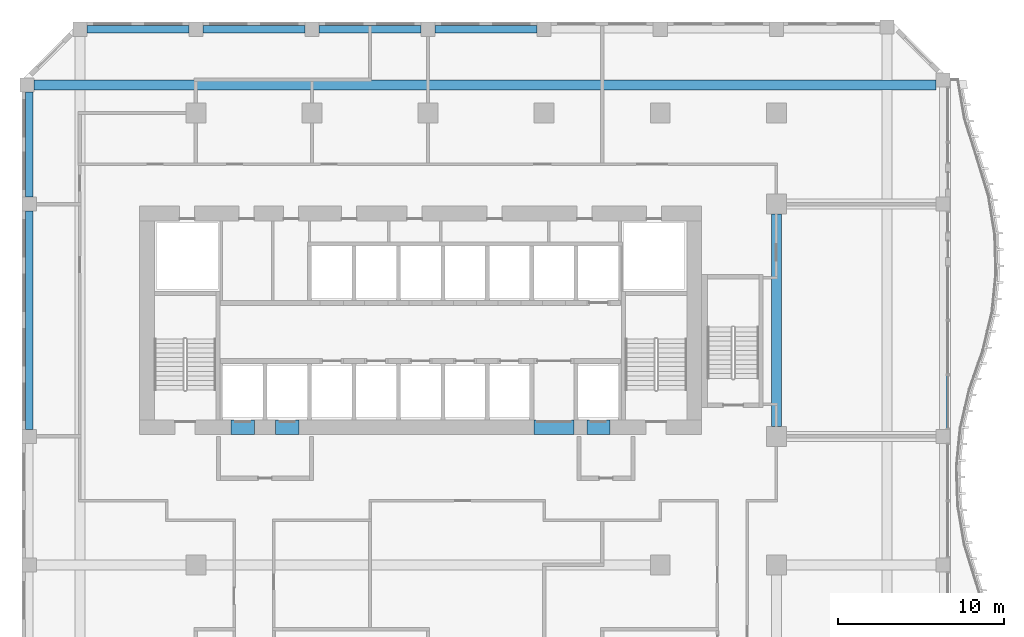
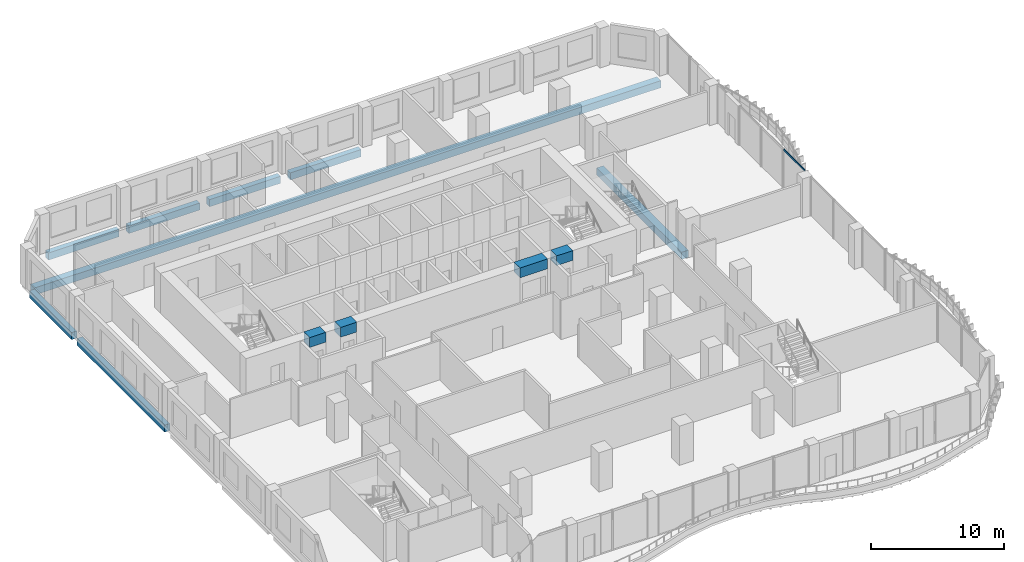
# One storey, part 7 of 19: 12 beams, 1 member, 1 element without a shape of its own.
"""IFC4 building model written with IfcOpenShell, lengths in metres."""

from ifc_helpers import new_model, si_unit, direction, frame, origin, origin_2d, place, context, subcontext, project, spatial, rectangle, extrude, source, transform, mapped, material, material_profile, profile_set, type_object, element, aggregate, save


model = new_model("IFC4")

# Units and contexts
model_context = context("Model", 3, precision=1e-05, world=origin(), true_north=direction((0.0, 1.0)))
body_context = subcontext(model_context, "Body", "Model", "MODEL_VIEW")
ifc_project = project(units=[si_unit("LENGTHUNIT", "METRE"), si_unit("AREAUNIT", "SQUARE_METRE"), si_unit("VOLUMEUNIT", "CUBIC_METRE"), si_unit("PLANEANGLEUNIT", "RADIAN"), si_unit("MASSUNIT", "GRAM", prefix="KILO")], contexts=[model_context])

# Site, building, storey
site_placement = place(None, origin())
site = spatial("IfcSite", under=ifc_project, at=site_placement, CompositionType="ELEMENT")
building_placement = place(site_placement, origin())
building = spatial("IfcBuilding", under=site, at=building_placement, Name="Kilnfold Tower and Market Hall", CompositionType="ELEMENT")
storey_placement = place(building_placement, frame((0.0, 0.0, 124.60009765625)))
storey = spatial("IfcBuildingStorey", under=building, at=storey_placement, Name="L29", CompositionType="ELEMENT", Elevation=124.60009765625)

# Beams
ifc_material_1 = material(Name="Concrete C45", Category="concrete")
ifc_material_profile_1 = material_profile(ifc_material_1, rectangle(XDim=0.449951171875, YDim=0.64990234375, at=origin_2d()), Name="RC 450x650")
ifc_profile_set_1 = profile_set([ifc_material_profile_1], Name="Concrete C45")
beam_type_1 = type_object("IfcBeamType", Name="EDGE BEAM 450X650 C45", PredefinedType="BEAM", material=ifc_profile_set_1)
shared_shape_1 = source(origin(), body_context, "Body", "SweptSolid", [
    extrude(rectangle(XDim=0.449951171875, YDim=0.64990234375, at=origin_2d()), origin(), (0.0, 0.0, 1.0), 6.14990234375),
])
for number, where, z_axis, x_axis, name in (
    (1, (-19.074951171875, 32.550048828125, -0.60498046875), (1.0, 0.0, 0.0), (0.0, 1.0, 0.0), "Beam EB650-B3.67"),
    (2, (-12.074951171875, 32.550048828125, -0.60498046875), (1.0, 0.0, 0.0), (0.0, 1.0, 0.0), "Beam EB650-B3.68"),
    (3, (-5.074951171875, 32.550048828125, -0.60498046875), (1.0, 0.0, 0.0), (0.0, 1.0, 0.0), "Beam EB650-B3.69"),
    (4, (1.925048828125, 32.550048828125, -0.60498046875), (1.0, 0.0, 0.0), (0.0, 1.0, 0.0), "Beam EB650-B3.70"),
):
    element("IfcBeam", number, at=place(storey_placement, frame(where, z_axis=z_axis, x_axis=x_axis)), inside=storey, type_object=beam_type_1, Name=name, PredefinedType="BEAM", context=body_context, shape_type="MappedRepresentation", body=[
        mapped(shared_shape_1, transform((0.0, 0.0, 0.0))),
    ])
ifc_material_2 = material(Name="Concrete C45", Category="concrete")
ifc_material_profile_2 = material_profile(ifc_material_2, rectangle(XDim=0.60009765625, YDim=0.64990234375, at=origin_2d()), Name="RC 600x650")
ifc_profile_set_2 = profile_set([ifc_material_profile_2], Name="Concrete C45")
beam_type_2 = type_object("IfcBeamType", Name="BEAM 600X650 C45", PredefinedType="BEAM", material=ifc_profile_set_2)
shared_shape_2 = source(origin(), body_context, "Body", "SweptSolid", [
    extrude(rectangle(XDim=0.60009765625, YDim=0.64990234375, at=origin_2d()), origin(), (0.0, 0.0, 1.0), 54.3818359375),
])
beam_1_placement = place(storey_placement, frame((-22.2568359375, 29.179931640625, -0.60498046875), z_axis=(1.0, 0.0, 0.0), x_axis=(0.0, 1.0, 0.0)))
element("IfcBeam", 5, at=beam_1_placement, inside=storey, type_object=beam_type_2, Name="Beam BB650-B3.66", PredefinedType="BEAM", context=body_context, shape_type="MappedRepresentation", body=[
    mapped(shared_shape_2, transform((0.0, 0.0, 0.0))),
])
shared_shape_3 = source(origin(), body_context, "Body", "SweptSolid", [
    extrude(rectangle(XDim=0.449951171875, YDim=0.64990234375, at=origin_2d()), origin(), (0.0, 0.0, 1.0), 13.14990234375),
])
beam_2_placement = place(storey_placement, frame((-22.550048828125, 8.425048828125, -0.60498046875), z_axis=(0.0, 1.0, 0.0), x_axis=(-1.0, 0.0, 0.0)))
element("IfcBeam", 6, at=beam_2_placement, inside=storey, type_object=beam_type_1, Name="Beam EB650-B3.77", PredefinedType="BEAM", context=body_context, shape_type="MappedRepresentation", body=[
    mapped(shared_shape_3, transform((0.0, 0.0, 0.0))),
])
shared_shape_4 = source(origin(), body_context, "Body", "SweptSolid", [
    extrude(rectangle(XDim=0.449951171875, YDim=0.64990234375, at=origin_2d()), origin(), (0.0, 0.0, 1.0), 6.331787109375),
])
beam_3_placement = place(storey_placement, frame((-22.550048828125, 22.425048828125, -0.60498046875), z_axis=(0.0, 1.0, 0.0), x_axis=(-1.0, 0.0, 0.0)))
element("IfcBeam", 7, at=beam_3_placement, inside=storey, type_object=beam_type_1, Name="Beam EB650-B3.78", PredefinedType="BEAM", context=body_context, shape_type="MappedRepresentation", body=[
    mapped(shared_shape_4, transform((0.0, 0.0, 0.0))),
])
shared_shape_5 = source(origin(), body_context, "Body", "SweptSolid", [
    extrude(rectangle(XDim=0.60009765625, YDim=0.64990234375, at=origin_2d()), origin(), (0.0, 0.0, 1.0), 12.7998046875),
])
beam_4_placement = place(storey_placement, frame((22.5, 8.60009765625, -0.60498046875), z_axis=(0.0, 1.0, 0.0), x_axis=(-1.0, 0.0, 0.0)))
element("IfcBeam", 8, at=beam_4_placement, inside=storey, type_object=beam_type_2, Name="Beam BB650-B3.81", PredefinedType="BEAM", context=body_context, shape_type="MappedRepresentation", body=[
    mapped(shared_shape_5, transform((0.0, 0.0, 0.0))),
])
ifc_material_3 = material(Name="Concrete C70", Category="concrete")
ifc_material_profile_3 = material_profile(ifc_material_3, rectangle(XDim=0.89990234375, YDim=0.89990234375, at=origin_2d()), Name="RC 900x900")
ifc_profile_set_3 = profile_set([ifc_material_profile_3], Name="Concrete C70")
beam_type_3 = type_object("IfcBeamType", Name="COUPLING BEAM 900X900 C70", PredefinedType="BEAM", material=ifc_profile_set_3)
shared_shape_6 = source(origin(), body_context, "Body", "SweptSolid", [
    extrude(rectangle(XDim=0.89990234375, YDim=0.89990234375, at=origin_2d()), origin(), (0.0, 0.0, 1.0), 1.400146484375),
])
beam_5_placement = place(storey_placement, frame((-10.3701171875, 8.550048828125, 3.14990234375), z_axis=(1.0, 0.0, 0.0), x_axis=(0.0, 1.0, 0.0)))
element("IfcBeam", 9, at=beam_5_placement, inside=storey, type_object=beam_type_3, Name="Coupling beam CB900-70-CORE.40", PredefinedType="BEAM", context=body_context, shape_type="MappedRepresentation", body=[
    mapped(shared_shape_6, transform((0.0, 0.0, 0.0))),
])
shared_shape_7 = source(origin(), body_context, "Body", "SweptSolid", [
    extrude(rectangle(XDim=0.89990234375, YDim=0.89990234375, at=origin_2d()), origin(), (0.0, 0.0, 1.0), 1.39990234375),
])
for number, where, z_axis, x_axis, name in (
    (10, (-7.68994140625, 8.550048828125, 3.14990234375), (1.0, 0.0, 0.0), (0.0, 1.0, 0.0), "Coupling beam CB900-70-CORE.41"),
    (11, (11.070068359375, 8.550048828125, 3.14990234375), (1.0, 0.0, 0.0), (0.0, 1.0, 0.0), "Coupling beam CB900-70-CORE.43"),
):
    element("IfcBeam", number, at=place(storey_placement, frame(where, z_axis=z_axis, x_axis=x_axis)), inside=storey, type_object=beam_type_3, Name=name, PredefinedType="BEAM", context=body_context, shape_type="MappedRepresentation", body=[
        mapped(shared_shape_7, transform((0.0, 0.0, 0.0))),
    ])
shared_shape_8 = source(origin(), body_context, "Body", "SweptSolid", [
    extrude(rectangle(XDim=0.89990234375, YDim=0.89990234375, at=origin_2d()), origin(), (0.0, 0.0, 1.0), 2.400146484375),
])
beam_6_placement = place(storey_placement, frame((7.889892578125, 8.550048828125, 3.14990234375), z_axis=(1.0, 0.0, 0.0), x_axis=(0.0, 1.0, 0.0)))
element("IfcBeam", 12, at=beam_6_placement, inside=storey, type_object=beam_type_3, Name="Coupling beam CB900-70-CORE.42", PredefinedType="BEAM", context=body_context, shape_type="MappedRepresentation", body=[
    mapped(shared_shape_8, transform((0.0, 0.0, 0.0))),
])

# Curtain wall, member
ifc_material_4 = material(Name="Aluminium and double glazing", Category="aluminium")
curtain_wall_type = type_object("IfcCurtainWallType", Name="CW OF2 VALLEY GLAZING", PredefinedType="NOTDEFINED", material=ifc_material_4)
curtain_wall_placement = place(storey_placement, origin())
curtain_wall = element("IfcCurtainWall", 13, at=curtain_wall_placement, inside=storey, type_object=curtain_wall_type, Name="Curtain wall CW2 L29 E", PredefinedType="NOTDEFINED")
ifc_material_5 = material(Name="Aluminium", Category="aluminium")
ifc_material_profile_4 = material_profile(ifc_material_5, rectangle(XDim=0.06005859375, YDim=0.159912109375, at=origin_2d()), Name="TRANSOM 60x160")
ifc_profile_set_4 = profile_set([ifc_material_profile_4], Name="Aluminium")
member_type = type_object("IfcMemberType", Name="TRANSOM 60X160", PredefinedType="USERDEFINED", material=ifc_profile_set_4)
shared_shape_9 = source(origin(), body_context, "Body", "SweptSolid", [
    extrude(rectangle(XDim=0.06005859375, YDim=0.159912109375, at=origin_2d()), origin(), (0.0, 0.0, 1.0), 3.16748046875),
])
member_placement = place(storey_placement, frame((32.85009765625, 8.485107421875, 3.56982421875), z_axis=(0.0, 1.0, 0.0), x_axis=(-1.0, 0.0, 0.0)))
member = element("IfcMember", 14, at=member_placement, type_object=member_type, Name="CW2 transom 1.2", ObjectType="TRANSOM", PredefinedType="USERDEFINED", context=body_context, shape_type="MappedRepresentation", body=[
    mapped(shared_shape_9, transform((0.0, 0.0, 0.0))),
])
aggregate(curtain_wall, [member])

save(model, "model.ifc")
